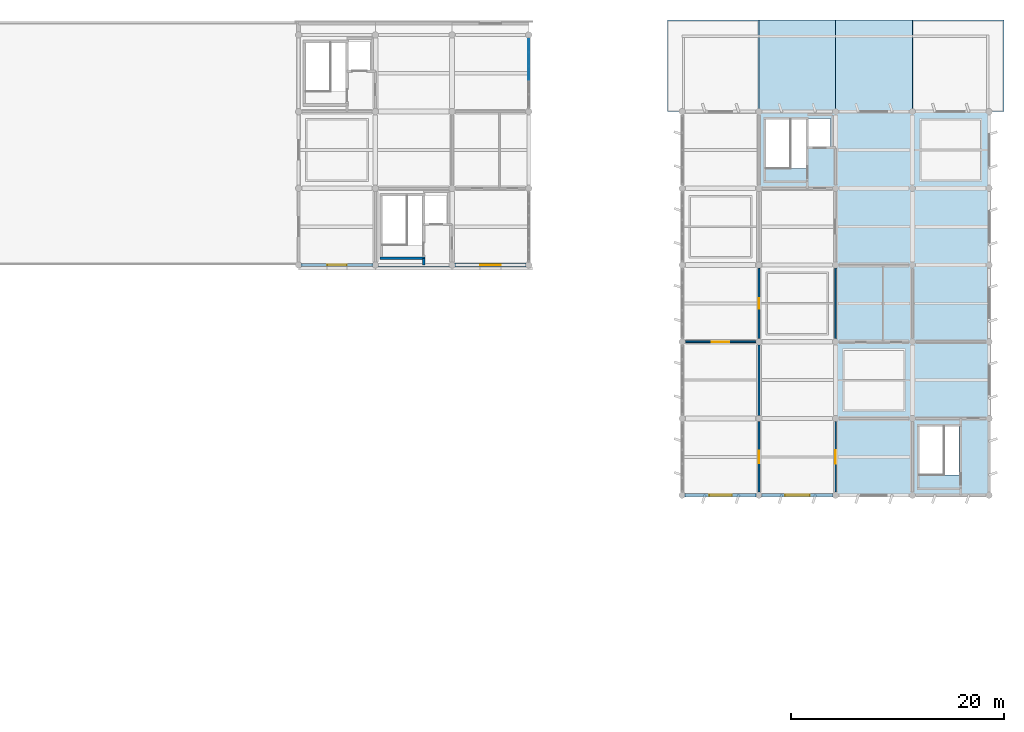
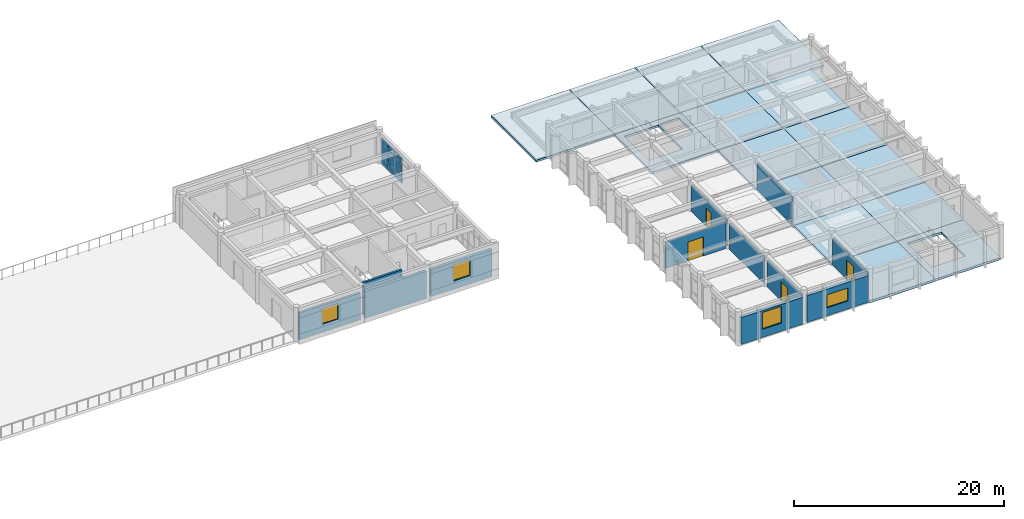
# One storey, part 11 of 16: 15 slabs, 13 walls, 9 plates, 4 doors, 4 windows, 8 openings, 1 element without a shape of its own.
"""IFC4 building model written with IfcOpenShell, lengths in metres."""

import ifcopenshell
import ifcopenshell.guid

model = None  # the IFC model being written
_history = None  # IfcOwnerHistory: only IFC2X3 demands one
_inside = {}  # id of a spatial element -> (the spatial element, [elements in it])
_under = {}  # id of a project, library or spatial element -> (it, [spatial elements below it])
_declared = {}  # id of a project -> (the project, [libraries it declares])
_typed = {}  # id of a type object -> (the type object, [elements of that type])
_made_of = {}  # id of a material, layer set ... -> (it, [elements and type objects made of it])


def new_model(schema):
    """Start an empty IFC model of exactly this schema.

    Asked for "IFC4X3", IfcOpenShell would pick the latest addendum, in which some entities
    have other attributes; the version numbers below select the first issue.
    IFC2X3 requires an IfcOwnerHistory on every rooted entity: one is made here for all.
    """
    global model, _history
    if schema == "IFC4X3":
        model = ifcopenshell.file(schema_version=(4, 3, 0, 0))
    else:
        model = ifcopenshell.file(schema=schema)
    _inside.clear()
    _under.clear()
    _declared.clear()
    _typed.clear()
    _made_of.clear()
    _history = None
    if model.schema == "IFC2X3":
        org = make("IfcOrganization", Name="unknown")
        user = make(
            "IfcPersonAndOrganization",
            ThePerson=make("IfcPerson", FamilyName="unknown"),
            TheOrganization=org,
        )
        app = make(
            "IfcApplication",
            ApplicationDeveloper=org,
            Version="unknown",
            ApplicationFullName="unknown",
            ApplicationIdentifier="unknown",
        )
        _history = make(
            "IfcOwnerHistory",
            OwningUser=user,
            OwningApplication=app,
            ChangeAction="ADDED",
            CreationDate=0,
        )
    return model


def make(cls, **values):
    """One entity of the class cls with the attributes given. An attribute that is None is left unset."""
    return model.create_entity(
        cls, **{name: value for name, value in values.items() if value is not None}
    )


def rooted(cls, **values):
    """An entity with a GlobalId (a new one), such as an element, a storey or a relation."""
    return make(cls, GlobalId=ifcopenshell.guid.new(), OwnerHistory=_history, **values)


def si_unit(unit_type, name, prefix=None):
    """IfcSIUnit, for example si_unit("LENGTHUNIT", "METRE", prefix="MILLI")."""
    return make("IfcSIUnit", UnitType=unit_type, Prefix=prefix, Name=name)


def assignment(units):
    """IfcUnitAssignment: the units of a project."""
    return None if units is None else make("IfcUnitAssignment", Units=units)


def point(xyz):
    """IfcCartesianPoint."""
    return None if xyz is None else make("IfcCartesianPoint", Coordinates=xyz)


def direction(xyz):
    """IfcDirection."""
    return None if xyz is None else make("IfcDirection", DirectionRatios=xyz)


def frame(location, z_axis=None, x_axis=None):
    """IfcAxis2Placement3D, a coordinate frame: its origin and axes. An axis left out is left unset."""
    return make(
        "IfcAxis2Placement3D",
        Location=point(location),
        Axis=direction(z_axis),
        RefDirection=direction(x_axis),
    )


def frame_2d(location, x_axis=None):
    """IfcAxis2Placement2D, a coordinate frame in the plane: its origin and x axis."""
    return make(
        "IfcAxis2Placement2D", Location=point(location), RefDirection=direction(x_axis)
    )


def origin():
    """The frame at (0, 0, 0) with its axes left unset."""
    return frame((0.0, 0.0, 0.0))


def origin_2d():
    """The frame at (0, 0) in the plane with its x axis left unset."""
    return frame_2d((0.0, 0.0))


def place(relative_to, where):
    """IfcLocalPlacement: puts the frame where relative to a parent placement (None: the world)."""
    return make(
        "IfcLocalPlacement", PlacementRelTo=relative_to, RelativePlacement=where
    )


def context(
    kind, dimensions, precision=None, world=None, true_north=None, identifier=None
):
    """IfcGeometricRepresentationContext, for example the 3D "Model" context."""
    return make(
        "IfcGeometricRepresentationContext",
        ContextIdentifier=identifier,
        ContextType=kind,
        CoordinateSpaceDimension=dimensions,
        Precision=precision,
        WorldCoordinateSystem=world,
        TrueNorth=true_north,
    )


def subcontext(parent, identifier, kind, view, scale=None):
    """IfcGeometricRepresentationSubContext, for example "Body" below "Model"."""
    return make(
        "IfcGeometricRepresentationSubContext",
        ContextIdentifier=identifier,
        ContextType=kind,
        ParentContext=parent,
        TargetScale=scale,
        TargetView=view,
    )


def project(units=None, contexts=None):
    """IfcProject with its units and contexts."""
    return rooted(
        "IfcProject",
        Name="project",
        RepresentationContexts=contexts,
        UnitsInContext=assignment(units),
    )


def spatial(cls, under=None, at=None, **own):
    """A site, building, storey or space (cls), placed at a placement, below another one or the project."""
    s = rooted(cls, ObjectPlacement=at, **own)
    if under is not None:
        _under.setdefault(under.id(), (under, []))[1].append(s)
    return s


def polyline(points):
    """IfcPolyline through the points."""
    return make("IfcPolyline", Points=[point(p) for p in points])


def profile(cls, at=None, kind="AREA", **sizes):
    """A parametric profile (cls). Its sizes go by their IFC names, for example OverallWidth=200.0."""
    return make(cls, ProfileType=kind, Position=at, **sizes)


def rectangle(**sizes):
    """IfcRectangleProfileDef."""
    return profile("IfcRectangleProfileDef", **sizes)


def outline(outer, holes=None, kind="AREA"):
    """IfcArbitraryClosedProfileDef: a profile drawn as a closed curve; with holes, ...WithVoids."""
    if holes is None:
        return make("IfcArbitraryClosedProfileDef", ProfileType=kind, OuterCurve=outer)
    return make(
        "IfcArbitraryProfileDefWithVoids",
        ProfileType=kind,
        OuterCurve=outer,
        InnerCurves=holes,
    )


def extrude(swept, where, along, depth):
    """IfcExtrudedAreaSolid: the profile swept, set in the frame where, extruded along a direction by depth."""
    return make(
        "IfcExtrudedAreaSolid",
        SweptArea=swept,
        Position=where,
        ExtrudedDirection=direction(along),
        Depth=depth,
    )


def shape(context_of_items, identifier, shape_type, items):
    """IfcShapeRepresentation: the items that make up one representation, for example the "Body"."""
    return make(
        "IfcShapeRepresentation",
        ContextOfItems=context_of_items,
        RepresentationIdentifier=identifier,
        RepresentationType=shape_type,
        Items=items,
    )


def material(Name=None, Category=None):
    """IfcMaterial."""
    return make("IfcMaterial", Name=Name, Category=Category)


def layer(
    of_material, thickness, ventilated=None, Name=None, Category=None, Priority=None
):
    """IfcMaterialLayer: one layer of a wall or slab, of a material (None: an air gap)."""
    return make(
        "IfcMaterialLayer",
        Material=of_material,
        LayerThickness=thickness,
        IsVentilated=ventilated,
        Name=Name,
        Category=Category,
        Priority=Priority,
    )


def layer_set(layers, Name=None):
    """IfcMaterialLayerSet."""
    return make("IfcMaterialLayerSet", MaterialLayers=layers, LayerSetName=Name)


def made_of(thing, what):
    """Note that an element or type object is made of a material, layer set ...; save() writes the relation."""
    if what is not None:
        _made_of.setdefault(what.id(), (what, []))[1].append(thing)
    return thing


def type_object(cls, material=None, **own):
    """A type object (cls), such as IfcWallType, which elements share."""
    return made_of(rooted(cls, **own), material)


def element(
    cls,
    number,
    at=None,
    inside=None,
    cuts=None,
    type_object=None,
    material=None,
    context=None,
    identifier="Body",
    shape_type=None,
    held_by="IfcProductDefinitionShape",
    body=None,
    shapes=None,
    **own,
):
    """One element of the class cls, such as IfcWall. Its Tag is "e" and its number.

    at: its placement. inside: the storey or other place that contains it. cuts: it is an
    opening in that element (IfcRelVoidsElement). A single representation is given by context,
    identifier, shape_type and body (its items); several are given by shapes. held_by: the class
    of the entity that holds the representations. save() writes the other relations.
    """
    e = rooted(cls, Tag="e%d" % number, ObjectPlacement=at, **own)
    if body is not None:
        shapes = [shape(context, identifier, shape_type, body)]
    if shapes is not None:
        e.Representation = make(held_by, Representations=shapes)
    if inside is not None:
        _inside.setdefault(inside.id(), (inside, []))[1].append(e)
    if cuts is not None:
        rooted(
            "IfcRelVoidsElement", RelatingBuildingElement=cuts, RelatedOpeningElement=e
        )
    if type_object is not None:
        _typed.setdefault(type_object.id(), (type_object, []))[1].append(e)
    return made_of(e, material)


def fill(opening, filler):
    """IfcRelFillsElement: the door or window that sits in an opening."""
    return rooted(
        "IfcRelFillsElement",
        RelatingOpeningElement=opening,
        RelatedBuildingElement=filler,
    )


def aggregate(whole, parts):
    """IfcRelAggregates: a whole, such as a stair, and the parts it consists of."""
    return rooted("IfcRelAggregates", RelatingObject=whole, RelatedObjects=parts)


def save(model, path):
    """Write the relations noted so far, then the file.

    IfcRelAggregates (storeys below a building ...), IfcRelContainedInSpatialStructure (elements
    in a storey), IfcRelDefinesByType, IfcRelAssociatesMaterial and IfcRelDeclares: one each for
    every whole, place, type object, material and project.
    """
    for whole, parts in _under.values():
        aggregate(whole, parts)
    for where, things in _inside.values():
        rooted(
            "IfcRelContainedInSpatialStructure",
            RelatedElements=things,
            RelatingStructure=where,
        )
    for kind, things in _typed.values():
        rooted("IfcRelDefinesByType", RelatedObjects=things, RelatingType=kind)
    for what, things in _made_of.values():
        rooted("IfcRelAssociatesMaterial", RelatedObjects=things, RelatingMaterial=what)
    for by, libraries in _declared.values():
        rooted("IfcRelDeclares", RelatingContext=by, RelatedDefinitions=libraries)
    model.write(path)


model = new_model("IFC4")

# Units and contexts
model_context = context("Model", 3, precision=1e-05, world=origin(), true_north=direction((0.0, 1.0)))
body_context = subcontext(model_context, "Body", "Model", "MODEL_VIEW")
ifc_project = project(units=[si_unit("LENGTHUNIT", "METRE"), si_unit("AREAUNIT", "SQUARE_METRE"), si_unit("VOLUMEUNIT", "CUBIC_METRE"), si_unit("PLANEANGLEUNIT", "RADIAN"), si_unit("MASSUNIT", "GRAM", prefix="KILO")], contexts=[model_context])

# Site, building, storey
site_placement = place(None, origin())
site = spatial("IfcSite", under=ifc_project, at=site_placement, CompositionType="ELEMENT")
building_placement = place(site_placement, origin())
building = spatial("IfcBuilding", under=site, at=building_placement, Name="Kavelor Marine Aquarium", CompositionType="ELEMENT")
storey_placement = place(building_placement, frame((0.0, 0.0, 21.60009765625)))
storey = spatial("IfcBuildingStorey", under=building, at=storey_placement, Name="L05", CompositionType="ELEMENT", Elevation=21.60009765625)

# Curtain wall, plates
ifc_material_1 = material(Name="Thermally Broken Aluminium and Low-E Glass", Category="aluminium")
ifc_layer_1 = layer(ifc_material_1, 0.18798828125)
ifc_layer_set_1 = layer_set([ifc_layer_1], Name="CW-SYS6")
curtain_wall_type = type_object("IfcCurtainWallType", Name="CW-SYS6", PredefinedType="USERDEFINED", material=ifc_layer_set_1)
curtain_wall_placement = place(storey_placement, origin())
curtain_wall = element("IfcCurtainWall", 1, at=curtain_wall_placement, inside=storey, type_object=curtain_wall_type, Name="cw:y:L05:14_14", ObjectType="Curtain Wall", PredefinedType="USERDEFINED")
ifc_material_2 = material(Name="Solar-Control Double Low-E Glazing", Category="glass")
ifc_layer_2 = layer(ifc_material_2, 0.083984375)
ifc_layer_set_2 = layer_set([ifc_layer_2], Name="CWP-30")
plate_type = type_object("IfcPlateType", Name="CWP-30", PredefinedType="CURTAIN_PANEL", material=ifc_layer_set_2)
plate_1_placement = place(storey_placement, frame((104.0, 107.199951171875, 0.074951171875), z_axis=(0.0, 0.0, 1.0), x_axis=(0.0, 1.0, 0.0)))
plate_1 = element("IfcPlate", 2, at=plate_1_placement, type_object=plate_type, Name="CW06 panel 3.1", PredefinedType="CURTAIN_PANEL", context=body_context, shape_type="SweptSolid", body=[
    extrude(rectangle(XDim=1.241943359375, YDim=0.083984375, at=origin_2d()), origin(), (0.0, 0.0, 1.0), 0.78759765625),
])
plate_2_placement = place(storey_placement, frame((104.0, 107.199951171875, 0.937255859375), z_axis=(0.0, 0.0, 1.0), x_axis=(0.0, 1.0, 0.0)))
plate_2 = element("IfcPlate", 3, at=plate_2_placement, type_object=plate_type, Name="CW06 panel 3.2", PredefinedType="CURTAIN_PANEL", context=body_context, shape_type="SweptSolid", body=[
    extrude(rectangle(XDim=1.241943359375, YDim=0.083984375, at=origin_2d()), origin(), (0.0, 0.0, 1.0), 1.4951171875),
])
plate_3_placement = place(storey_placement, frame((104.0, 107.199951171875, 2.50732421875), z_axis=(0.0, 0.0, 1.0), x_axis=(0.0, 1.0, 0.0)))
plate_3 = element("IfcPlate", 4, at=plate_3_placement, type_object=plate_type, Name="CW06 panel 3.3", PredefinedType="CURTAIN_PANEL", context=body_context, shape_type="SweptSolid", body=[
    extrude(rectangle(XDim=1.241943359375, YDim=0.083984375, at=origin_2d()), origin(), (0.0, 0.0, 1.0), 0.53759765625),
])
plate_4_placement = place(storey_placement, frame((104.0, 108.501953125, 0.074951171875), z_axis=(0.0, 0.0, 1.0), x_axis=(0.0, 1.0, 0.0)))
plate_4 = element("IfcPlate", 5, at=plate_4_placement, type_object=plate_type, Name="CW06 panel 4.1", PredefinedType="CURTAIN_PANEL", context=body_context, shape_type="SweptSolid", body=[
    extrude(rectangle(XDim=1.241943359375, YDim=0.083984375, at=origin_2d()), origin(), (0.0, 0.0, 1.0), 0.78759765625),
])
plate_5_placement = place(storey_placement, frame((104.0, 108.501953125, 0.937255859375), z_axis=(0.0, 0.0, 1.0), x_axis=(0.0, 1.0, 0.0)))
plate_5 = element("IfcPlate", 6, at=plate_5_placement, type_object=plate_type, Name="CW06 panel 4.2", PredefinedType="CURTAIN_PANEL", context=body_context, shape_type="SweptSolid", body=[
    extrude(rectangle(XDim=1.241943359375, YDim=0.083984375, at=origin_2d()), origin(), (0.0, 0.0, 1.0), 1.4951171875),
])
plate_6_placement = place(storey_placement, frame((104.0, 108.501953125, 2.50732421875), z_axis=(0.0, 0.0, 1.0), x_axis=(0.0, 1.0, 0.0)))
plate_6 = element("IfcPlate", 7, at=plate_6_placement, type_object=plate_type, Name="CW06 panel 4.3", PredefinedType="CURTAIN_PANEL", context=body_context, shape_type="SweptSolid", body=[
    extrude(rectangle(XDim=1.241943359375, YDim=0.083984375, at=origin_2d()), origin(), (0.0, 0.0, 1.0), 0.53759765625),
])
plate_7_placement = place(storey_placement, frame((104.0, 109.7890625, 0.074951171875), z_axis=(0.0, 0.0, 1.0), x_axis=(0.0, 1.0, 0.0)))
plate_7 = element("IfcPlate", 8, at=plate_7_placement, type_object=plate_type, Name="CW06 panel 5.1", PredefinedType="CURTAIN_PANEL", context=body_context, shape_type="SweptSolid", body=[
    extrude(rectangle(XDim=1.2119140625, YDim=0.083984375, at=origin_2d()), origin(), (0.0, 0.0, 1.0), 0.78759765625),
])
plate_8_placement = place(storey_placement, frame((104.0, 109.7890625, 0.937255859375), z_axis=(0.0, 0.0, 1.0), x_axis=(0.0, 1.0, 0.0)))
plate_8 = element("IfcPlate", 9, at=plate_8_placement, type_object=plate_type, Name="CW06 panel 5.2", PredefinedType="CURTAIN_PANEL", context=body_context, shape_type="SweptSolid", body=[
    extrude(rectangle(XDim=1.2119140625, YDim=0.083984375, at=origin_2d()), origin(), (0.0, 0.0, 1.0), 1.4951171875),
])
plate_9_placement = place(storey_placement, frame((104.0, 109.7890625, 2.50732421875), z_axis=(0.0, 0.0, 1.0), x_axis=(0.0, 1.0, 0.0)))
plate_9 = element("IfcPlate", 10, at=plate_9_placement, type_object=plate_type, Name="CW06 panel 5.3", PredefinedType="CURTAIN_PANEL", context=body_context, shape_type="SweptSolid", body=[
    extrude(rectangle(XDim=1.2119140625, YDim=0.083984375, at=origin_2d()), origin(), (0.0, 0.0, 1.0), 0.53759765625),
])
aggregate(curtain_wall, [plate_1, plate_2, plate_3, plate_4, plate_5, plate_6, plate_7, plate_8, plate_9])

# Slabs
ifc_material_3 = material(Name="Concrete C40/50", Category="concrete")
ifc_layer_3 = layer(ifc_material_3, 0.280029296875)
ifc_layer_set_3 = layer_set([ifc_layer_3], Name="SL-FL2")
slab_type_1 = type_object("IfcSlabType", Name="SL-FL2", PredefinedType="FLOOR", material=ifc_layer_set_3)
slab_1_placement = place(storey_placement, frame((0.0, 0.0, -0.280029296875)))
element("IfcSlab", 11, at=slab_1_placement, inside=storey, type_object=slab_type_1, Name="slab:L05:18_09", PredefinedType="FLOOR", context=body_context, shape_type="SweptSolid", body=[
    extrude(outline(polyline([(132.800048828125, 67.60009765625), (140.0, 67.60009765625), (140.0, 74.800048828125), (132.800048828125, 74.800048828125), (132.800048828125, 67.60009765625)])), origin(), (0.0, 0.0, 1.0), 0.280029296875),
])
slab_2_placement = place(storey_placement, frame((0.0, 0.0, -0.280029296875)))
element("IfcSlab", 12, at=slab_2_placement, inside=storey, type_object=slab_type_1, Name="slab:L05:18_10", PredefinedType="FLOOR", context=body_context, shape_type="SweptSolid", body=[
    extrude(outline(polyline([(132.800048828125, 74.800048828125), (140.0, 74.800048828125), (140.0, 82.0), (132.800048828125, 82.0), (132.800048828125, 74.800048828125)])), origin(), (0.0, 0.0, 1.0), 0.280029296875),
])
slab_3_placement = place(storey_placement, frame((0.0, 0.0, -0.280029296875)))
element("IfcSlab", 13, at=slab_3_placement, inside=storey, type_object=slab_type_1, Name="slab:L05:18_11", PredefinedType="FLOOR", context=body_context, shape_type="SweptSolid", body=[
    extrude(outline(polyline([(132.800048828125, 82.0), (140.0, 82.0), (140.0, 89.199951171875), (132.800048828125, 89.199951171875), (132.800048828125, 82.0)])), origin(), (0.0, 0.0, 1.0), 0.280029296875),
])
slab_4_placement = place(storey_placement, frame((0.0, 0.0, -0.280029296875)))
element("IfcSlab", 14, at=slab_4_placement, inside=storey, type_object=slab_type_1, Name="slab:L05:18_12", PredefinedType="FLOOR", context=body_context, shape_type="SweptSolid", body=[
    extrude(outline(polyline([(132.800048828125, 89.199951171875), (140.0, 89.199951171875), (140.0, 96.39990234375), (132.800048828125, 96.39990234375), (132.800048828125, 89.199951171875)])), origin(), (0.0, 0.0, 1.0), 0.280029296875),
])
slab_5_placement = place(storey_placement, frame((0.0, 0.0, -0.280029296875)))
element("IfcSlab", 15, at=slab_5_placement, inside=storey, type_object=slab_type_1, Name="slab:L05:18_13", PredefinedType="FLOOR", context=body_context, shape_type="SweptSolid", body=[
    extrude(outline(polyline([(132.800048828125, 96.39990234375), (140.0, 96.39990234375), (140.0, 103.60009765625), (132.800048828125, 103.60009765625), (132.800048828125, 96.39990234375)])), origin(), (0.0, 0.0, 1.0), 0.280029296875),
])
ifc_material_4 = material(Name="Concrete C40/50", Category="concrete")
ifc_layer_4 = layer(ifc_material_4, 0.260009765625)
ifc_layer_set_4 = layer_set([ifc_layer_4], Name="SL-FL3")
slab_type_2 = type_object("IfcSlabType", Name="SL-FL3", PredefinedType="FLOOR", material=ifc_layer_set_4)
slab_6_placement = place(storey_placement, frame((0.0, 0.0, -0.260009765625)))
element("IfcSlab", 16, at=slab_6_placement, inside=storey, type_object=slab_type_2, Name="slab:L05:17_13", PredefinedType="FLOOR", context=body_context, shape_type="SweptSolid", body=[
    extrude(outline(polyline([(125.60009765625, 96.39990234375), (132.800048828125, 96.39990234375), (132.800048828125, 103.60009765625), (125.60009765625, 103.60009765625), (125.60009765625, 96.39990234375)]), holes=[polyline([(126.280029296875, 98.282958984375), (130.0, 98.282958984375), (130.0, 102.8701171875), (126.280029296875, 102.8701171875), (126.280029296875, 98.282958984375)]), polyline([(130.260009765625, 100.25), (132.300048828125, 100.25), (132.300048828125, 102.949951171875), (130.199951171875, 102.949951171875), (130.260009765625, 100.25)])]), origin(), (0.0, 0.0, 1.0), 0.260009765625),
])
slab_7_placement = place(storey_placement, frame((0.0, 0.0, -0.260009765625)))
element("IfcSlab", 17, at=slab_7_placement, inside=storey, type_object=slab_type_2, Name="slab:L05:19_09", PredefinedType="FLOOR", context=body_context, shape_type="SweptSolid", body=[
    extrude(outline(polyline([(140.0, 67.60009765625), (147.199951171875, 67.60009765625), (147.199951171875, 74.800048828125), (140.0, 74.800048828125), (140.0, 67.60009765625)]), holes=[polyline([(140.679931640625, 69.48291015625), (144.39990234375, 69.48291015625), (144.39990234375, 74.070068359375), (140.679931640625, 74.070068359375), (140.679931640625, 69.48291015625)])]), origin(), (0.0, 0.0, 1.0), 0.260009765625),
])
slab_8_placement = place(storey_placement, frame((0.0, 0.0, -0.260009765625)))
element("IfcSlab", 18, at=slab_8_placement, inside=storey, type_object=slab_type_2, Name="slab:L05:19_10", PredefinedType="FLOOR", context=body_context, shape_type="SweptSolid", body=[
    extrude(outline(polyline([(140.0, 74.800048828125), (147.199951171875, 74.800048828125), (147.199951171875, 82.0), (140.0, 82.0), (140.0, 74.800048828125)])), origin(), (0.0, 0.0, 1.0), 0.260009765625),
])
slab_9_placement = place(storey_placement, frame((0.0, 0.0, -0.260009765625)))
element("IfcSlab", 19, at=slab_9_placement, inside=storey, type_object=slab_type_2, Name="slab:L05:19_11", PredefinedType="FLOOR", context=body_context, shape_type="SweptSolid", body=[
    extrude(outline(polyline([(140.0, 82.0), (147.199951171875, 82.0), (147.199951171875, 89.199951171875), (140.0, 89.199951171875), (140.0, 82.0)])), origin(), (0.0, 0.0, 1.0), 0.260009765625),
])
slab_10_placement = place(storey_placement, frame((0.0, 0.0, -0.260009765625)))
element("IfcSlab", 20, at=slab_10_placement, inside=storey, type_object=slab_type_2, Name="slab:L05:19_12", PredefinedType="FLOOR", context=body_context, shape_type="SweptSolid", body=[
    extrude(outline(polyline([(140.0, 89.199951171875), (147.199951171875, 89.199951171875), (147.199951171875, 96.39990234375), (140.0, 96.39990234375), (140.0, 89.199951171875)])), origin(), (0.0, 0.0, 1.0), 0.260009765625),
])
slab_11_placement = place(storey_placement, frame((0.0, 0.0, -0.260009765625)))
element("IfcSlab", 21, at=slab_11_placement, inside=storey, type_object=slab_type_2, Name="slab:L05:19_13", PredefinedType="FLOOR", context=body_context, shape_type="SweptSolid", body=[
    extrude(outline(polyline([(140.0, 96.39990234375), (147.199951171875, 96.39990234375), (147.199951171875, 103.60009765625), (140.0, 103.60009765625), (140.0, 96.39990234375)])), origin(), (0.0, 0.0, 1.0), 0.260009765625),
])
ifc_material_5 = material(Name="Concrete C40/50", Category="concrete")
ifc_layer_5 = layer(ifc_material_5, 0.239990234375)
ifc_layer_set_5 = layer_set([ifc_layer_5], Name="SL-RF2")
slab_type_3 = type_object("IfcSlabType", Name="SL-RF2", PredefinedType="ROOF", material=ifc_layer_set_5)
slab_12_placement = place(storey_placement, frame((0.0, 0.0, -0.239990234375)))
element("IfcSlab", 22, at=slab_12_placement, inside=storey, type_object=slab_type_3, Name="roof:L05:16_14", PredefinedType="ROOF", context=body_context, shape_type="SweptSolid", body=[
    extrude(outline(polyline([(117.0, 103.60009765625), (125.60009765625, 103.60009765625), (125.60009765625, 112.199951171875), (117.0, 112.199951171875), (117.0, 103.60009765625)])), origin(), (0.0, 0.0, 1.0), 0.239990234375),
])
slab_13_placement = place(storey_placement, frame((0.0, 0.0, -0.239990234375)))
element("IfcSlab", 23, at=slab_13_placement, inside=storey, type_object=slab_type_3, Name="roof:L05:17_14", PredefinedType="ROOF", context=body_context, shape_type="SweptSolid", body=[
    extrude(outline(polyline([(125.60009765625, 103.60009765625), (132.800048828125, 103.60009765625), (132.800048828125, 112.199951171875), (125.60009765625, 112.199951171875), (125.60009765625, 103.60009765625)])), origin(), (0.0, 0.0, 1.0), 0.239990234375),
])
slab_14_placement = place(storey_placement, frame((0.0, 0.0, -0.239990234375)))
element("IfcSlab", 24, at=slab_14_placement, inside=storey, type_object=slab_type_3, Name="roof:L05:18_14", PredefinedType="ROOF", context=body_context, shape_type="SweptSolid", body=[
    extrude(outline(polyline([(132.800048828125, 103.60009765625), (140.0, 103.60009765625), (140.0, 112.199951171875), (132.800048828125, 112.199951171875), (132.800048828125, 103.60009765625)])), origin(), (0.0, 0.0, 1.0), 0.239990234375),
])
slab_15_placement = place(storey_placement, frame((0.0, 0.0, -0.239990234375)))
element("IfcSlab", 25, at=slab_15_placement, inside=storey, type_object=slab_type_3, Name="roof:L05:19_14", PredefinedType="ROOF", context=body_context, shape_type="SweptSolid", body=[
    extrude(outline(polyline([(140.0, 103.60009765625), (148.60009765625, 103.60009765625), (148.60009765625, 112.199951171875), (140.0, 112.199951171875), (140.0, 103.60009765625)])), origin(), (0.0, 0.0, 1.0), 0.239990234375),
])

# Wall, opening, window
ifc_material_6 = material(Name="Concrete C45/55", Category="concrete")
ifc_layer_6 = layer(ifc_material_6, 0.360107421875)
ifc_layer_set_6 = layer_set([ifc_layer_6], Name="WL-EX1")
wall_type_1 = type_object("IfcWallType", Name="WL-EX1", PredefinedType="STANDARD", material=ifc_layer_set_6)
wall_1_placement = place(storey_placement, frame((103.764892578125, 89.199951171875, 0.0), z_axis=(0.0, 0.0, 1.0), x_axis=(-1.0, 0.0, 0.0)))
wall_1 = element("IfcWall", 26, at=wall_1_placement, inside=storey, type_object=wall_type_1, Name="ew:x:L05:13_12", PredefinedType="STANDARD", context=body_context, shape_type="SweptSolid", body=[
    extrude(rectangle(XDim=6.72998046875, YDim=0.360107421875, at=frame_2d((3.364990234375, 0.0))), origin(), (0.0, 0.0, 1.0), 3.119873046875),
])
opening_1_placement = place(wall_1_placement, frame((2.4150390625, 0.0, 0.949951171875)))
opening_1 = element("IfcOpeningElement", 27, at=opening_1_placement, cuts=wall_1, Name="Opening W09", PredefinedType="OPENING", context=body_context, shape_type="SweptSolid", body=[
    extrude(rectangle(XDim=1.89990234375, YDim=1.85009765625, at=frame_2d((0.949951171875, 0.925048828125))), frame((0.0, 0.18994140625, 0.0), z_axis=(0.0, -1.0, 0.0), x_axis=(1.0, 0.0, 0.0)), (0.0, 0.0, 1.0), 0.380107),
])
ifc_material_7 = material(Name="Anodised Aluminium Frame with Low-E Double Glazing", Category="aluminium")
window_type_1 = type_object("IfcWindowType", Name="WIN-W09", PartitioningType="DOUBLE_PANEL_VERTICAL", PredefinedType="WINDOW", material=ifc_material_7)
window_1_placement = place(opening_1_placement, origin())
window_1 = element("IfcWindow", 28, at=window_1_placement, inside=storey, type_object=window_type_1, Name="win:x:L05:13_12", OverallHeight=1.85009765625, OverallWidth=1.89990234375, PartitioningType="SINGLE_PANEL", PredefinedType="WINDOW", context=body_context, shape_type="SweptSolid", body=[
    extrude(rectangle(XDim=1.89990234375, YDim=1.85009765625, at=frame_2d((0.949951171875, 0.925048828125))), frame((0.0, 0.030029296875, 0.0), z_axis=(0.0, -1.0, 0.0), x_axis=(1.0, 0.0, 0.0)), (0.0, 0.0, 1.0), 0.06005859375),
])
fill(opening_1, window_1)

wall_2_placement = place(storey_placement, frame((125.364990234375, 67.60009765625, 0.0), z_axis=(0.0, 0.0, 1.0), x_axis=(-1.0, 0.0, 0.0)))
wall_2 = element("IfcWall", 29, at=wall_2_placement, inside=storey, type_object=wall_type_1, Name="ew:x:L05:16_09", PredefinedType="STANDARD", context=body_context, shape_type="SweptSolid", body=[
    extrude(rectangle(XDim=6.72998046875, YDim=0.360107421875, at=frame_2d((3.364990234375, 0.0))), origin(), (0.0, 0.0, 1.0), 3.119873046875),
])
opening_2_placement = place(wall_2_placement, frame((2.31494140625, 0.0, 0.949951171875)))
opening_2 = element("IfcOpeningElement", 30, at=opening_2_placement, cuts=wall_2, Name="Opening W11", PredefinedType="OPENING", context=body_context, shape_type="SweptSolid", body=[
    extrude(rectangle(XDim=2.10009765625, YDim=1.949951171875, at=frame_2d((1.050048828125, 0.97509765625))), frame((0.0, 0.18994140625, 0.0), z_axis=(0.0, -1.0, 0.0), x_axis=(1.0, 0.0, 0.0)), (0.0, 0.0, 1.0), 0.380107),
])
ifc_material_8 = material(Name="Anodised Aluminium Frame with Low-E Double Glazing", Category="aluminium")
window_type_2 = type_object("IfcWindowType", Name="WIN-W11", PartitioningType="DOUBLE_PANEL_VERTICAL", PredefinedType="WINDOW", material=ifc_material_8)
window_2_placement = place(opening_2_placement, origin())
window_2 = element("IfcWindow", 31, at=window_2_placement, inside=storey, type_object=window_type_2, Name="win:x:L05:16_09", OverallHeight=1.949951171875, OverallWidth=2.10009765625, PartitioningType="SINGLE_PANEL", PredefinedType="WINDOW", context=body_context, shape_type="SweptSolid", body=[
    extrude(rectangle(XDim=2.10009765625, YDim=1.949951171875, at=frame_2d((1.050048828125, 0.97509765625))), frame((0.0, 0.030029296875, 0.0), z_axis=(0.0, -1.0, 0.0), x_axis=(1.0, 0.0, 0.0)), (0.0, 0.0, 1.0), 0.06005859375),
])
fill(opening_2, window_2)

ifc_material_9 = material(Name="Concrete C45/55", Category="concrete")
ifc_layer_7 = layer(ifc_material_9, 0.320068359375)
ifc_layer_set_7 = layer_set([ifc_layer_7], Name="WL-EX2")
wall_type_2 = type_object("IfcWallType", Name="WL-EX2", PredefinedType="STANDARD", material=ifc_layer_set_7)
wall_3_placement = place(storey_placement, frame((132.56494140625, 67.60009765625, 0.0), z_axis=(0.0, 0.0, 1.0), x_axis=(-1.0, 0.0, 0.0)))
wall_3 = element("IfcWall", 32, at=wall_3_placement, inside=storey, type_object=wall_type_2, Name="ew:x:L05:17_09", PredefinedType="STANDARD", context=body_context, shape_type="SweptSolid", body=[
    extrude(rectangle(XDim=6.72998046875, YDim=0.320068359375, at=frame_2d((3.364990234375, 0.0))), origin(), (0.0, 0.0, 1.0), 3.119873046875),
])
opening_3_placement = place(wall_3_placement, frame((2.215087890625, 0.0, 0.949951171875)))
opening_3 = element("IfcOpeningElement", 33, at=opening_3_placement, cuts=wall_3, Name="Opening W13", PredefinedType="OPENING", context=body_context, shape_type="SweptSolid", body=[
    extrude(rectangle(XDim=2.300048828125, YDim=1.5, at=frame_2d((1.14990234375, 0.75))), frame((0.0, 0.169921875, 0.0), z_axis=(0.0, -1.0, 0.0), x_axis=(1.0, 0.0, 0.0)), (0.0, 0.0, 1.0), 0.340068),
])
ifc_material_10 = material(Name="Anodised Aluminium Frame with Low-E Double Glazing", Category="aluminium")
window_type_3 = type_object("IfcWindowType", Name="WIN-W13", PartitioningType="DOUBLE_PANEL_VERTICAL", PredefinedType="WINDOW", material=ifc_material_10)
window_3_placement = place(opening_3_placement, origin())
window_3 = element("IfcWindow", 34, at=window_3_placement, inside=storey, type_object=window_type_3, Name="win:x:L05:17_09", OverallHeight=1.5, OverallWidth=2.300048828125, PartitioningType="SINGLE_PANEL", PredefinedType="WINDOW", context=body_context, shape_type="SweptSolid", body=[
    extrude(rectangle(XDim=2.300048828125, YDim=1.5, at=frame_2d((1.14990234375, 0.75))), frame((0.0, 0.030029296875, 0.0), z_axis=(0.0, -1.0, 0.0), x_axis=(1.0, 0.0, 0.0)), (0.0, 0.0, 1.0), 0.06005859375),
])
fill(opening_3, window_3)

ifc_material_11 = material(Name="Concrete C40/50", Category="concrete")
ifc_layer_8 = layer(ifc_material_11, 0.260009765625)
ifc_layer_set_8 = layer_set([ifc_layer_8], Name="WL-EX5")
wall_type_3 = type_object("IfcWallType", Name="WL-EX5", PredefinedType="STANDARD", material=ifc_layer_set_8)
wall_4_placement = place(storey_placement, frame((89.364990234375, 89.199951171875, 0.0), z_axis=(0.0, 0.0, 1.0), x_axis=(-1.0, 0.0, 0.0)))
wall_4 = element("IfcWall", 35, at=wall_4_placement, inside=storey, type_object=wall_type_3, Name="ew:x:L05:11_12", PredefinedType="STANDARD", context=body_context, shape_type="SweptSolid", body=[
    extrude(rectangle(XDim=6.72998046875, YDim=0.260009765625, at=frame_2d((3.364990234375, 0.0))), origin(), (0.0, 0.0, 1.0), 3.119873046875),
])
opening_4_placement = place(wall_4_placement, frame((2.465087890625, 0.0, 0.949951171875)))
opening_4 = element("IfcOpeningElement", 36, at=opening_4_placement, cuts=wall_4, Name="Opening W08", PredefinedType="OPENING", context=body_context, shape_type="SweptSolid", body=[
    extrude(rectangle(XDim=1.800048828125, YDim=1.800048828125, at=frame_2d((0.89990234375, 0.89990234375))), frame((0.0, 0.139892578125, 0.0), z_axis=(0.0, -1.0, 0.0), x_axis=(1.0, 0.0, 0.0)), (0.0, 0.0, 1.0), 0.28001),
])
ifc_material_12 = material(Name="Anodised Aluminium Frame with Low-E Double Glazing", Category="aluminium")
window_type_4 = type_object("IfcWindowType", Name="WIN-W08", PartitioningType="DOUBLE_PANEL_VERTICAL", PredefinedType="WINDOW", material=ifc_material_12)
window_4_placement = place(opening_4_placement, origin())
window_4 = element("IfcWindow", 37, at=window_4_placement, inside=storey, type_object=window_type_4, Name="win:x:L05:11_12", OverallHeight=1.800048828125, OverallWidth=1.800048828125, PartitioningType="SINGLE_PANEL", PredefinedType="WINDOW", context=body_context, shape_type="SweptSolid", body=[
    extrude(rectangle(XDim=1.800048828125, YDim=1.800048828125, at=frame_2d((0.89990234375, 0.89990234375))), frame((0.0, 0.030029296875, 0.0), z_axis=(0.0, -1.0, 0.0), x_axis=(1.0, 0.0, 0.0)), (0.0, 0.0, 1.0), 0.06005859375),
])
fill(opening_4, window_4)

# Walls
ifc_material_13 = material(Name="Concrete C45/55", Category="concrete")
ifc_layer_9 = layer(ifc_material_13, 0.340087890625)
ifc_layer_set_9 = layer_set([ifc_layer_9], Name="WL-EX6")
wall_type_4 = type_object("IfcWallType", Name="WL-EX6", PredefinedType="STANDARD", material=ifc_layer_set_9)
wall_5_placement = place(storey_placement, frame((96.56494140625, 89.199951171875, 0.0), z_axis=(0.0, 0.0, 1.0), x_axis=(-1.0, 0.0, 0.0)))
element("IfcWall", 38, at=wall_5_placement, inside=storey, type_object=wall_type_4, Name="ew:x:L05:12_12", PredefinedType="STANDARD", context=body_context, shape_type="SweptSolid", body=[
    extrude(rectangle(XDim=6.72998046875, YDim=0.340087890625, at=frame_2d((3.364990234375, 0.0))), origin(), (0.0, 0.0, 1.0), 3.119873046875),
])
ifc_material_14 = material(Name="Concrete Blockwork Partition", Category="masonry")
ifc_layer_10 = layer(ifc_material_14, 0.199951171875)
ifc_layer_set_10 = layer_set([ifc_layer_10], Name="WL-PT1")
wall_type_5 = type_object("IfcWallType", Name="WL-PT1", PredefinedType="PARTITIONING", material=ifc_layer_set_10)
wall_6_placement = place(storey_placement, frame((94.139892578125, 89.199951171875, 0.0), z_axis=(0.0, 0.0, 1.0), x_axis=(0.0, 1.0, 0.0)))
element("IfcWall", 39, at=wall_6_placement, inside=storey, type_object=wall_type_5, Name="pt:st_close:s:C07:L05", PredefinedType="PARTITIONING", context=body_context, shape_type="SweptSolid", body=[
    extrude(rectangle(XDim=0.6201171875, YDim=0.199951171875, at=frame_2d((0.31005859375, 0.0))), origin(), (0.0, 0.0, 1.0), 3.119873046875),
])

# Wall, opening, door
ifc_material_15 = material(Name="Acoustic Gypsum Stud Partition")
ifc_layer_11 = layer(ifc_material_15, 0.159912109375)
ifc_layer_set_11 = layer_set([ifc_layer_11], Name="WL-PT2")
wall_type_6 = type_object("IfcWallType", Name="WL-PT2", PredefinedType="PARTITIONING", material=ifc_layer_set_11)
wall_7_placement = place(storey_placement, frame((125.60009765625, 67.89990234375, 0.0), z_axis=(0.0, 0.0, 1.0), x_axis=(0.0, 1.0, 0.0)))
wall_7 = element("IfcWall", 40, at=wall_7_placement, inside=storey, type_object=wall_type_6, Name="pt:y:L05:16_09", PredefinedType="PARTITIONING", context=body_context, shape_type="SweptSolid", body=[
    extrude(rectangle(XDim=6.60009765625, YDim=0.159912109375, at=frame_2d((3.300048828125, 0.0))), origin(), (0.0, 0.0, 1.0), 3.06982421875),
])
opening_5_placement = place(wall_7_placement, frame((2.719970703125, 0.0, 0.0)))
opening_5 = element("IfcOpeningElement", 41, at=opening_5_placement, cuts=wall_7, Name="Opening D09", PredefinedType="OPENING", context=body_context, shape_type="SweptSolid", body=[
    extrude(rectangle(XDim=1.159912109375, YDim=2.179931640625, at=frame_2d((0.580078125, 1.08984375))), frame((0.0, 0.08984375, 0.0), z_axis=(0.0, -1.0, 0.0), x_axis=(1.0, 0.0, 0.0)), (0.0, 0.0, 1.0), 0.179912),
])
ifc_material_16 = material(Name="Husbandry Prep Marine Door")
door_type_1 = type_object("IfcDoorType", Name="DR-D09", OperationType="NOTDEFINED", PredefinedType="DOOR", material=ifc_material_16)
door_1_placement = place(opening_5_placement, origin())
door_1 = element("IfcDoor", 42, at=door_1_placement, inside=storey, type_object=door_type_1, Name="dr:rm:pt:y:L05:16_09:0", OperationType="SINGLE_SWING_RIGHT", OverallHeight=2.179931640625, OverallWidth=1.159912109375, PredefinedType="DOOR", context=body_context, shape_type="SweptSolid", body=[
    extrude(rectangle(XDim=1.159912109375, YDim=2.179931640625, at=frame_2d((0.580078125, 1.08984375))), frame((0.0, 0.02490234375, 0.0), z_axis=(0.0, -1.0, 0.0), x_axis=(1.0, 0.0, 0.0)), (0.0, 0.0, 1.0), 0.050048828125),
])
fill(opening_5, door_1)

# Wall
wall_8_placement = place(storey_placement, frame((125.60009765625, 75.10009765625, 0.0), z_axis=(0.0, 0.0, 1.0), x_axis=(0.0, 1.0, 0.0)))
element("IfcWall", 43, at=wall_8_placement, inside=storey, type_object=wall_type_6, Name="pt:y:L05:16_10", PredefinedType="PARTITIONING", context=body_context, shape_type="SweptSolid", body=[
    extrude(rectangle(XDim=6.599853515625, YDim=0.159912109375, at=frame_2d((3.2998046875, 0.0))), origin(), (0.0, 0.0, 1.0), 3.02001953125),
])

# Wall, opening, door
wall_9_placement = place(storey_placement, frame((118.699951171875, 82.0, 0.0), z_axis=(0.0, 0.0, 1.0), x_axis=(1.0, 0.0, 0.0)))
wall_9 = element("IfcWall", 44, at=wall_9_placement, inside=storey, type_object=wall_type_6, Name="pt:x:L05:16_10", PredefinedType="PARTITIONING", context=body_context, shape_type="SweptSolid", body=[
    extrude(rectangle(XDim=6.60009765625, YDim=0.159912109375, at=frame_2d((3.300048828125, 0.0))), origin(), (0.0, 0.0, 1.0), 3.06982421875),
])
opening_6_placement = place(wall_9_placement, frame((2.469970703125, 0.0, 0.0)))
opening_6 = element("IfcOpeningElement", 45, at=opening_6_placement, cuts=wall_9, Name="Opening D12", PredefinedType="OPENING", context=body_context, shape_type="SweptSolid", body=[
    extrude(rectangle(XDim=1.659912109375, YDim=2.219970703125, at=frame_2d((0.830078125, 1.10986328125))), frame((0.0, 0.08984375, 0.0), z_axis=(0.0, -1.0, 0.0), x_axis=(1.0, 0.0, 0.0)), (0.0, 0.0, 1.0), 0.179912),
])
ifc_material_17 = material(Name="Amphitheatre Vestibule Double Door")
door_type_2 = type_object("IfcDoorType", Name="DR-D12", OperationType="NOTDEFINED", PredefinedType="DOOR", material=ifc_material_17)
door_2_placement = place(opening_6_placement, origin())
door_2 = element("IfcDoor", 46, at=door_2_placement, inside=storey, type_object=door_type_2, Name="dr:rm:pt:x:L05:16_10:0", OperationType="DOUBLE_DOOR_SINGLE_SWING", OverallHeight=2.219970703125, OverallWidth=1.659912109375, PredefinedType="DOOR", context=body_context, shape_type="SweptSolid", body=[
    extrude(rectangle(XDim=1.659912109375, YDim=2.219970703125, at=frame_2d((0.830078125, 1.10986328125))), frame((0.0, 0.02490234375, 0.0), z_axis=(0.0, -1.0, 0.0), x_axis=(1.0, 0.0, 0.0)), (0.0, 0.0, 1.0), 0.050048828125),
])
fill(opening_6, door_2)

wall_10_placement = place(storey_placement, frame((125.60009765625, 82.300048828125, 0.0), z_axis=(0.0, 0.0, 1.0), x_axis=(0.0, 1.0, 0.0)))
wall_10 = element("IfcWall", 47, at=wall_10_placement, inside=storey, type_object=wall_type_6, Name="pt:y:L05:16_11", PredefinedType="PARTITIONING", context=body_context, shape_type="SweptSolid", body=[
    extrude(rectangle(XDim=6.599853515625, YDim=0.159912109375, at=frame_2d((3.2998046875, 0.0))), origin(), (0.0, 0.0, 1.0), 3.06982421875),
])
opening_7_placement = place(wall_10_placement, frame((2.820068359375, 0.0, 0.0)))
opening_7 = element("IfcOpeningElement", 48, at=opening_7_placement, cuts=wall_10, Name="Opening D01", PredefinedType="OPENING", context=body_context, shape_type="SweptSolid", body=[
    extrude(rectangle(XDim=0.9599609375, YDim=2.10009765625, at=frame_2d((0.47998046875, 1.050048828125))), frame((0.0, 0.08984375, 0.0), z_axis=(0.0, -1.0, 0.0), x_axis=(1.0, 0.0, 0.0)), (0.0, 0.0, 1.0), 0.179912),
])
ifc_material_18 = material(Name="Solid-Core Acoustic Timber Laboratory Door", Category="wood")
door_type_3 = type_object("IfcDoorType", Name="DR-D01", OperationType="NOTDEFINED", PredefinedType="DOOR", material=ifc_material_18)
door_3_placement = place(opening_7_placement, origin())
door_3 = element("IfcDoor", 49, at=door_3_placement, inside=storey, type_object=door_type_3, Name="dr:rm:pt:y:L05:16_11:0", OperationType="SINGLE_SWING_LEFT", OverallHeight=2.10009765625, OverallWidth=0.9599609375, PredefinedType="DOOR", context=body_context, shape_type="SweptSolid", body=[
    extrude(rectangle(XDim=0.9599609375, YDim=2.10009765625, at=frame_2d((0.47998046875, 1.050048828125))), frame((0.0, 0.02490234375, 0.0), z_axis=(0.0, -1.0, 0.0), x_axis=(1.0, 0.0, 0.0)), (0.0, 0.0, 1.0), 0.050048828125),
])
fill(opening_7, door_3)

wall_11_placement = place(storey_placement, frame((132.800048828125, 67.89990234375, 0.0), z_axis=(0.0, 0.0, 1.0), x_axis=(0.0, 1.0, 0.0)))
wall_11 = element("IfcWall", 50, at=wall_11_placement, inside=storey, type_object=wall_type_6, Name="pt:y:L05:17_09", PredefinedType="PARTITIONING", context=body_context, shape_type="SweptSolid", body=[
    extrude(rectangle(XDim=6.60009765625, YDim=0.159912109375, at=frame_2d((3.300048828125, 0.0))), origin(), (0.0, 0.0, 1.0), 3.06982421875),
])
opening_8_placement = place(wall_11_placement, frame((2.659912109375, 0.0, 0.0)))
opening_8 = element("IfcOpeningElement", 51, at=opening_8_placement, cuts=wall_11, Name="Opening D10", PredefinedType="OPENING", context=body_context, shape_type="SweptSolid", body=[
    extrude(rectangle(XDim=1.280029296875, YDim=2.199951171875, at=frame_2d((0.64013671875, 1.10009765625))), frame((0.0, 0.08984375, 0.0), z_axis=(0.0, -1.0, 0.0), x_axis=(1.0, 0.0, 0.0)), (0.0, 0.0, 1.0), 0.179912),
])
ifc_material_19 = material(Name="Equipment Store Wide Leaf Door")
door_type_4 = type_object("IfcDoorType", Name="DR-D10", OperationType="NOTDEFINED", PredefinedType="DOOR", material=ifc_material_19)
door_4_placement = place(opening_8_placement, origin())
door_4 = element("IfcDoor", 52, at=door_4_placement, inside=storey, type_object=door_type_4, Name="dr:rm:pt:y:L05:17_09:0", OperationType="SINGLE_SWING_RIGHT", OverallHeight=2.199951171875, OverallWidth=1.280029296875, PredefinedType="DOOR", context=body_context, shape_type="SweptSolid", body=[
    extrude(rectangle(XDim=1.280029296875, YDim=2.199951171875, at=frame_2d((0.64013671875, 1.10009765625))), frame((0.0, 0.02490234375, 0.0), z_axis=(0.0, -1.0, 0.0), x_axis=(1.0, 0.0, 0.0)), (0.0, 0.0, 1.0), 0.050048828125),
])
fill(opening_8, door_4)

# Walls
ifc_material_20 = material(Name="Moisture-Resistant Marine Partition")
ifc_layer_12 = layer(ifc_material_20, 0.139892578125)
ifc_layer_set_12 = layer_set([ifc_layer_12], Name="WL-PT3")
wall_type_7 = type_object("IfcWallType", Name="WL-PT3", PredefinedType="PARTITIONING", material=ifc_layer_set_12)
wall_12_placement = place(storey_placement, frame((132.800048828125, 82.300048828125, 0.0), z_axis=(0.0, 0.0, 1.0), x_axis=(0.0, 1.0, 0.0)))
element("IfcWall", 53, at=wall_12_placement, inside=storey, type_object=wall_type_7, Name="pt:san:enc_w:L05:18_11", PredefinedType="PARTITIONING", context=body_context, shape_type="SweptSolid", body=[
    extrude(rectangle(XDim=6.599853515625, YDim=0.139892578125, at=frame_2d((3.2998046875, 0.0))), origin(), (0.0, 0.0, 1.0), 3.06982421875),
])
ifc_material_21 = material(Name="Concrete C40/50", Category="concrete")
ifc_layer_13 = layer(ifc_material_21, 0.35009765625)
ifc_layer_set_13 = layer_set([ifc_layer_13], Name="WL-SW2")
wall_type_8 = type_object("IfcWallType", Name="WL-SW2", PredefinedType="SHEAR", material=ifc_layer_set_13)
wall_13_placement = place(storey_placement, frame((90.02001953125, 89.820068359375, 0.0), z_axis=(0.0, 0.0, 1.0), x_axis=(1.0, 0.0, 0.0)))
element("IfcWall", 54, at=wall_13_placement, inside=storey, type_object=wall_type_8, Name="cw_st:s:C07:L05", PredefinedType="SHEAR", context=body_context, shape_type="SweptSolid", body=[
    extrude(rectangle(XDim=4.239990234375, YDim=0.239990234375, at=frame_2d((2.1201171875, 0.0))), origin(), (0.0, 0.0, 1.0), 3.679931640625),
])

save(model, "model.ifc")
